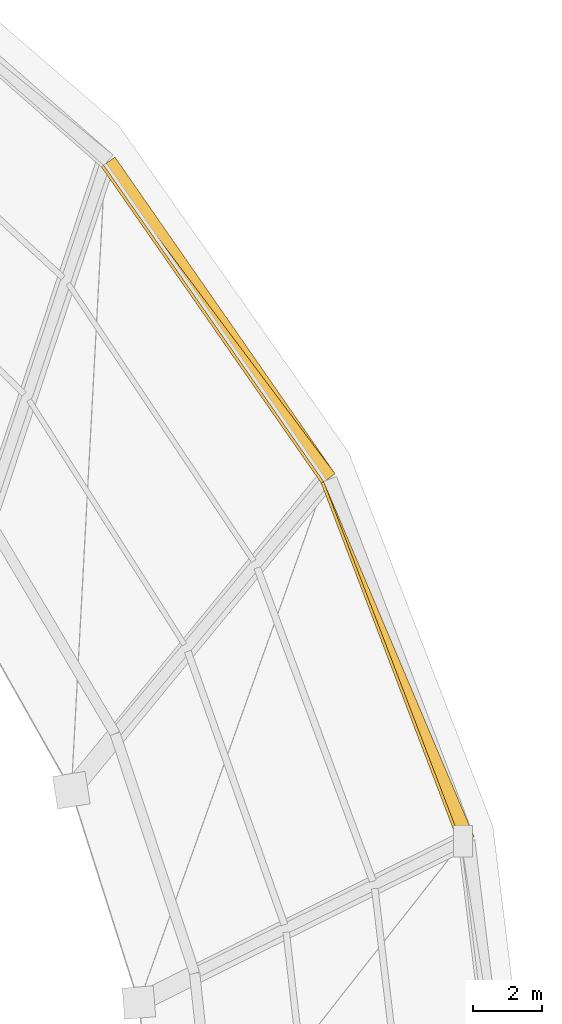
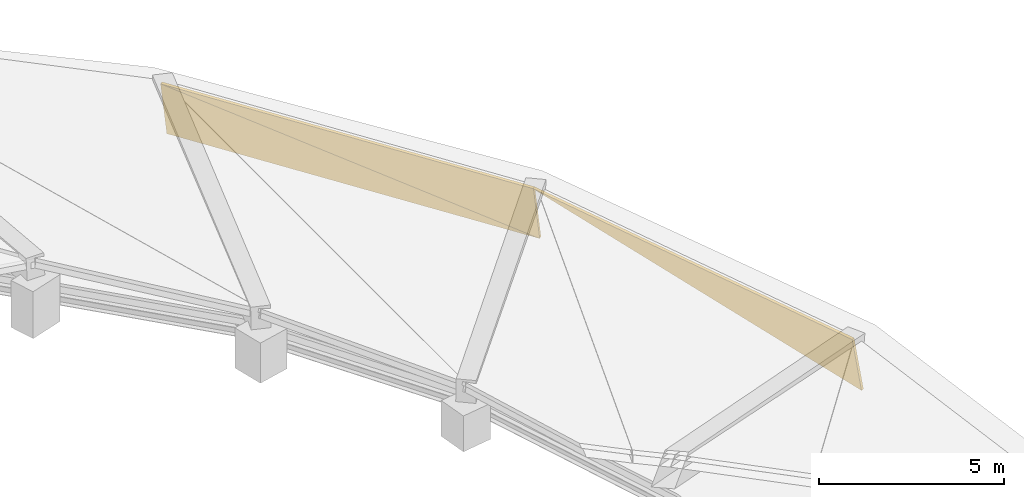
# One storey, part 67 of 67: 3 coverings.
"""IFC4 building model written with IfcOpenShell, lengths in metres."""

from ifc_helpers import new_model, si_unit, direction, frame, origin, place, context, subcontext, project, spatial, polyline, outline, extrude, material, layer, layer_set, type_object, element, save


model = new_model("IFC4")

# Units and contexts
model_context = context("Model", 3, precision=1e-05, world=origin(), true_north=direction((0.0, 1.0)))
body_context = subcontext(model_context, "Body", "Model", "MODEL_VIEW")
ifc_project = project(units=[si_unit("LENGTHUNIT", "METRE"), si_unit("AREAUNIT", "SQUARE_METRE"), si_unit("VOLUMEUNIT", "CUBIC_METRE"), si_unit("PLANEANGLEUNIT", "RADIAN"), si_unit("MASSUNIT", "GRAM", prefix="KILO")], contexts=[model_context])

# Site, building, storey
site_placement = place(None, origin())
site = spatial("IfcSite", under=ifc_project, at=site_placement, CompositionType="ELEMENT")
building_placement = place(site_placement, origin())
building = spatial("IfcBuilding", under=site, at=building_placement, Name="Sohan Crest Arena", CompositionType="ELEMENT")
storey_placement = place(building_placement, frame((0.0, 0.0, 22.5)))
storey = spatial("IfcBuildingStorey", under=building, at=storey_placement, Name="L05", CompositionType="ELEMENT", Elevation=22.5)

# Coverings
ifc_material = material(Name="Glazed ivory trencadis ceramic cladding", Category="masonry")
ifc_layer = layer(ifc_material, 0.06494140625, Name="Glazed ivory trencadis ceramic cladding")
ifc_layer_set = layer_set([ifc_layer], Name="Glazed ivory trencadis ceramic cladding")
covering_type = type_object("IfcCoveringType", Name="COV-SC-IV", PredefinedType="CLADDING", material=ifc_layer_set)
covering_1_placement = place(storey_placement, frame((187.052001953125, 89.196044921875, -1.635986328125), z_axis=(0.914615397334, 0.347666397768, 0.206414027679), x_axis=(-0.383937585451, 0.906858077297, 0.173782502338)))
element("IfcCovering", 1, at=covering_1_placement, inside=storey, type_object=covering_type, Name="Rising white parabolic roof-edge nose fascia NF-0742", PredefinedType="CLADDING", context=body_context, shape_type="SweptSolid", body=[
    extrude(outline(polyline([(0.0, 0.0), (11.330220903333112, 2.220446049250313e-16), (0.34314490930189634, 1.9111573445565824), (0.0, 0.0)])), origin(), (0.0, 0.0, -1.0), 0.0849609375),
])
covering_2_placement = place(storey_placement, frame((183.034912109375, 99.68994140625, -1.56689453125), z_axis=(0.804958998275, 0.556481171886, 0.205839054684), x_axis=(-0.570811107683, 0.820982894398, 0.012718744144)))
element("IfcCovering", 2, at=covering_2_placement, inside=storey, type_object=covering_type, Name="Rising white parabolic roof-edge nose fascia NF-0743", PredefinedType="CLADDING", context=body_context, shape_type="SweptSolid", body=[
    extrude(outline(polyline([(0.0, 0.0), (11.152492849552488, -5.551115123125783e-17), (11.174450899440114, 1.941605506133935), (0.0, 0.0)])), origin(), (0.0, 0.0, -1.0), 0.0849609375),
])
covering_3_placement = place(storey_placement, frame((183.034912109375, 99.68994140625, -1.56689453125), z_axis=(0.804957370938, 0.556474158871, 0.205864376425), x_axis=(-0.590102573725, 0.78699716196, 0.180040049852)))
element("IfcCovering", 3, at=covering_3_placement, inside=storey, type_object=covering_type, Name="Rising white parabolic roof-edge nose fascia NF-0744", PredefinedType="CLADDING", context=body_context, shape_type="SweptSolid", body=[
    extrude(outline(polyline([(0.0, 0.0), (11.341877483267378, 0.0), (0.35397160341754075, 1.9089500923498675), (0.0, 0.0)])), origin(), (0.0, 0.0, -1.0), 0.0849609375),
])

save(model, "model.ifc")
